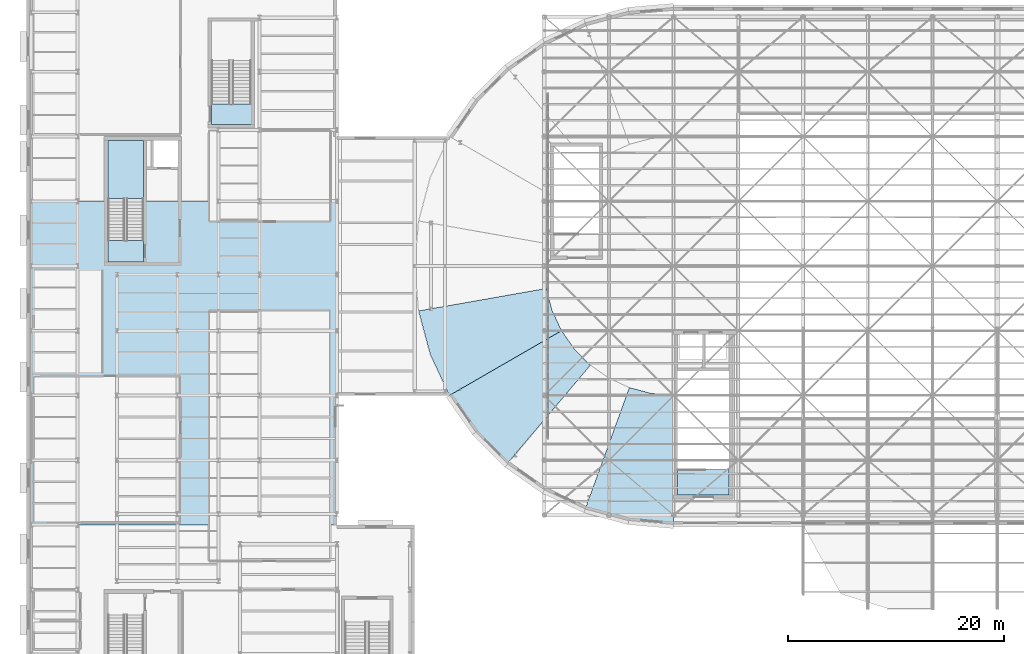
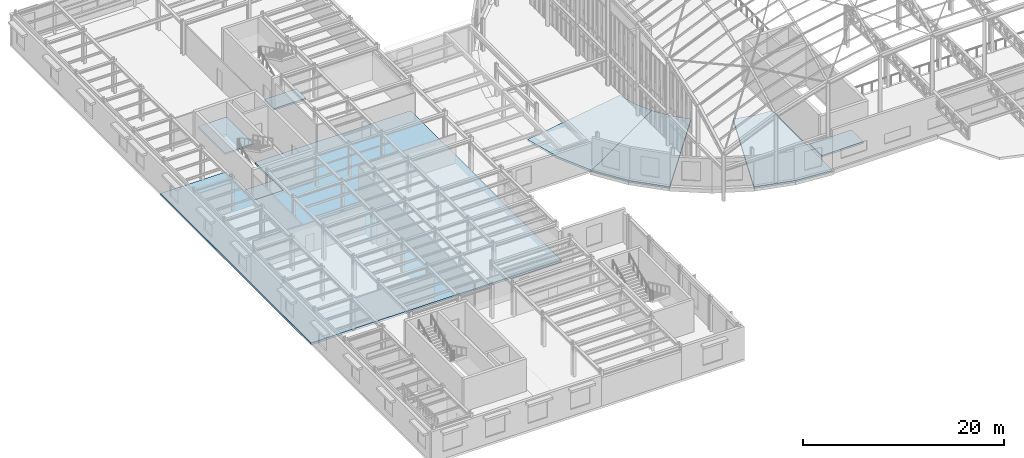
# One storey, part 51 of 75: 8 slabs, 1 element without a shape of its own.
"""IFC4 building model written with IfcOpenShell, lengths in metres."""

import ifcopenshell
import ifcopenshell.guid

model = None  # the IFC model being written
_history = None  # IfcOwnerHistory: only IFC2X3 demands one
_inside = {}  # id of a spatial element -> (the spatial element, [elements in it])
_under = {}  # id of a project, library or spatial element -> (it, [spatial elements below it])
_declared = {}  # id of a project -> (the project, [libraries it declares])
_typed = {}  # id of a type object -> (the type object, [elements of that type])
_made_of = {}  # id of a material, layer set ... -> (it, [elements and type objects made of it])


def new_model(schema):
    """Start an empty IFC model of exactly this schema.

    Asked for "IFC4X3", IfcOpenShell would pick the latest addendum, in which some entities
    have other attributes; the version numbers below select the first issue.
    IFC2X3 requires an IfcOwnerHistory on every rooted entity: one is made here for all.
    """
    global model, _history
    if schema == "IFC4X3":
        model = ifcopenshell.file(schema_version=(4, 3, 0, 0))
    else:
        model = ifcopenshell.file(schema=schema)
    _inside.clear()
    _under.clear()
    _declared.clear()
    _typed.clear()
    _made_of.clear()
    _history = None
    if model.schema == "IFC2X3":
        org = make("IfcOrganization", Name="unknown")
        user = make(
            "IfcPersonAndOrganization",
            ThePerson=make("IfcPerson", FamilyName="unknown"),
            TheOrganization=org,
        )
        app = make(
            "IfcApplication",
            ApplicationDeveloper=org,
            Version="unknown",
            ApplicationFullName="unknown",
            ApplicationIdentifier="unknown",
        )
        _history = make(
            "IfcOwnerHistory",
            OwningUser=user,
            OwningApplication=app,
            ChangeAction="ADDED",
            CreationDate=0,
        )
    return model


def make(cls, **values):
    """One entity of the class cls with the attributes given. An attribute that is None is left unset."""
    return model.create_entity(
        cls, **{name: value for name, value in values.items() if value is not None}
    )


def rooted(cls, **values):
    """An entity with a GlobalId (a new one), such as an element, a storey or a relation."""
    return make(cls, GlobalId=ifcopenshell.guid.new(), OwnerHistory=_history, **values)


def si_unit(unit_type, name, prefix=None):
    """IfcSIUnit, for example si_unit("LENGTHUNIT", "METRE", prefix="MILLI")."""
    return make("IfcSIUnit", UnitType=unit_type, Prefix=prefix, Name=name)


def assignment(units):
    """IfcUnitAssignment: the units of a project."""
    return None if units is None else make("IfcUnitAssignment", Units=units)


def point(xyz):
    """IfcCartesianPoint."""
    return None if xyz is None else make("IfcCartesianPoint", Coordinates=xyz)


def direction(xyz):
    """IfcDirection."""
    return None if xyz is None else make("IfcDirection", DirectionRatios=xyz)


def frame(location, z_axis=None, x_axis=None):
    """IfcAxis2Placement3D, a coordinate frame: its origin and axes. An axis left out is left unset."""
    return make(
        "IfcAxis2Placement3D",
        Location=point(location),
        Axis=direction(z_axis),
        RefDirection=direction(x_axis),
    )


def origin():
    """The frame at (0, 0, 0) with its axes left unset."""
    return frame((0.0, 0.0, 0.0))


def place(relative_to, where):
    """IfcLocalPlacement: puts the frame where relative to a parent placement (None: the world)."""
    return make(
        "IfcLocalPlacement", PlacementRelTo=relative_to, RelativePlacement=where
    )


def context(
    kind, dimensions, precision=None, world=None, true_north=None, identifier=None
):
    """IfcGeometricRepresentationContext, for example the 3D "Model" context."""
    return make(
        "IfcGeometricRepresentationContext",
        ContextIdentifier=identifier,
        ContextType=kind,
        CoordinateSpaceDimension=dimensions,
        Precision=precision,
        WorldCoordinateSystem=world,
        TrueNorth=true_north,
    )


def subcontext(parent, identifier, kind, view, scale=None):
    """IfcGeometricRepresentationSubContext, for example "Body" below "Model"."""
    return make(
        "IfcGeometricRepresentationSubContext",
        ContextIdentifier=identifier,
        ContextType=kind,
        ParentContext=parent,
        TargetScale=scale,
        TargetView=view,
    )


def project(units=None, contexts=None):
    """IfcProject with its units and contexts."""
    return rooted(
        "IfcProject",
        Name="project",
        RepresentationContexts=contexts,
        UnitsInContext=assignment(units),
    )


def spatial(cls, under=None, at=None, **own):
    """A site, building, storey or space (cls), placed at a placement, below another one or the project."""
    s = rooted(cls, ObjectPlacement=at, **own)
    if under is not None:
        _under.setdefault(under.id(), (under, []))[1].append(s)
    return s


def polyline(points):
    """IfcPolyline through the points."""
    return make("IfcPolyline", Points=[point(p) for p in points])


def outline(outer, holes=None, kind="AREA"):
    """IfcArbitraryClosedProfileDef: a profile drawn as a closed curve; with holes, ...WithVoids."""
    if holes is None:
        return make("IfcArbitraryClosedProfileDef", ProfileType=kind, OuterCurve=outer)
    return make(
        "IfcArbitraryProfileDefWithVoids",
        ProfileType=kind,
        OuterCurve=outer,
        InnerCurves=holes,
    )


def extrude(swept, where, along, depth):
    """IfcExtrudedAreaSolid: the profile swept, set in the frame where, extruded along a direction by depth."""
    return make(
        "IfcExtrudedAreaSolid",
        SweptArea=swept,
        Position=where,
        ExtrudedDirection=direction(along),
        Depth=depth,
    )


def shape(context_of_items, identifier, shape_type, items):
    """IfcShapeRepresentation: the items that make up one representation, for example the "Body"."""
    return make(
        "IfcShapeRepresentation",
        ContextOfItems=context_of_items,
        RepresentationIdentifier=identifier,
        RepresentationType=shape_type,
        Items=items,
    )


def material(Name=None, Category=None):
    """IfcMaterial."""
    return make("IfcMaterial", Name=Name, Category=Category)


def layer(
    of_material, thickness, ventilated=None, Name=None, Category=None, Priority=None
):
    """IfcMaterialLayer: one layer of a wall or slab, of a material (None: an air gap)."""
    return make(
        "IfcMaterialLayer",
        Material=of_material,
        LayerThickness=thickness,
        IsVentilated=ventilated,
        Name=Name,
        Category=Category,
        Priority=Priority,
    )


def layer_set(layers, Name=None):
    """IfcMaterialLayerSet."""
    return make("IfcMaterialLayerSet", MaterialLayers=layers, LayerSetName=Name)


def made_of(thing, what):
    """Note that an element or type object is made of a material, layer set ...; save() writes the relation."""
    if what is not None:
        _made_of.setdefault(what.id(), (what, []))[1].append(thing)
    return thing


def type_object(cls, material=None, **own):
    """A type object (cls), such as IfcWallType, which elements share."""
    return made_of(rooted(cls, **own), material)


def element(
    cls,
    number,
    at=None,
    inside=None,
    cuts=None,
    type_object=None,
    material=None,
    context=None,
    identifier="Body",
    shape_type=None,
    held_by="IfcProductDefinitionShape",
    body=None,
    shapes=None,
    **own,
):
    """One element of the class cls, such as IfcWall. Its Tag is "e" and its number.

    at: its placement. inside: the storey or other place that contains it. cuts: it is an
    opening in that element (IfcRelVoidsElement). A single representation is given by context,
    identifier, shape_type and body (its items); several are given by shapes. held_by: the class
    of the entity that holds the representations. save() writes the other relations.
    """
    e = rooted(cls, Tag="e%d" % number, ObjectPlacement=at, **own)
    if body is not None:
        shapes = [shape(context, identifier, shape_type, body)]
    if shapes is not None:
        e.Representation = make(held_by, Representations=shapes)
    if inside is not None:
        _inside.setdefault(inside.id(), (inside, []))[1].append(e)
    if cuts is not None:
        rooted(
            "IfcRelVoidsElement", RelatingBuildingElement=cuts, RelatedOpeningElement=e
        )
    if type_object is not None:
        _typed.setdefault(type_object.id(), (type_object, []))[1].append(e)
    return made_of(e, material)


def aggregate(whole, parts):
    """IfcRelAggregates: a whole, such as a stair, and the parts it consists of."""
    return rooted("IfcRelAggregates", RelatingObject=whole, RelatedObjects=parts)


def save(model, path):
    """Write the relations noted so far, then the file.

    IfcRelAggregates (storeys below a building ...), IfcRelContainedInSpatialStructure (elements
    in a storey), IfcRelDefinesByType, IfcRelAssociatesMaterial and IfcRelDeclares: one each for
    every whole, place, type object, material and project.
    """
    for whole, parts in _under.values():
        aggregate(whole, parts)
    for where, things in _inside.values():
        rooted(
            "IfcRelContainedInSpatialStructure",
            RelatedElements=things,
            RelatingStructure=where,
        )
    for kind, things in _typed.values():
        rooted("IfcRelDefinesByType", RelatedObjects=things, RelatingType=kind)
    for what, things in _made_of.values():
        rooted("IfcRelAssociatesMaterial", RelatedObjects=things, RelatingMaterial=what)
    for by, libraries in _declared.values():
        rooted("IfcRelDeclares", RelatingContext=by, RelatedDefinitions=libraries)
    model.write(path)


model = new_model("IFC4")

# Units and contexts
model_context = context("Model", 3, precision=1e-05, world=origin(), true_north=direction((0.0, 1.0)))
body_context = subcontext(model_context, "Body", "Model", "MODEL_VIEW")
ifc_project = project(units=[si_unit("LENGTHUNIT", "METRE"), si_unit("AREAUNIT", "SQUARE_METRE"), si_unit("VOLUMEUNIT", "CUBIC_METRE"), si_unit("PLANEANGLEUNIT", "RADIAN"), si_unit("MASSUNIT", "GRAM", prefix="KILO")], contexts=[model_context])

# Site, building, storey
site_placement = place(None, origin())
site = spatial("IfcSite", under=ifc_project, at=site_placement, CompositionType="ELEMENT")
building_placement = place(site_placement, origin())
building = spatial("IfcBuilding", under=site, at=building_placement, Name="Kolvaren Corner Interchange", CompositionType="ELEMENT")
storey_placement = place(building_placement, frame((0.0, 0.0, 10.5)))
storey = spatial("IfcBuildingStorey", under=building, at=storey_placement, Name="L03", CompositionType="ELEMENT", Elevation=10.5)

# Slabs
ifc_material_1 = material(Name="Concrete C35/45", Category="concrete")
ifc_layer_1 = layer(ifc_material_1, 0.25)
ifc_layer_set_1 = layer_set([ifc_layer_1], Name="Concrete C35/45")
slab_type_1 = type_object("IfcSlabType", Name="SL-COMP-250", PredefinedType="FLOOR", material=ifc_layer_set_1)
slab_1_placement = place(storey_placement, frame((0.0, 0.0, -0.25)))
element("IfcSlab", 1, at=slab_1_placement, inside=storey, type_object=slab_type_1, Name="Level 03 Administration Central West Floor Slab", PredefinedType="FLOOR", context=body_context, shape_type="SweptSolid", body=[
    extrude(outline(polyline([(0.0, 24.0), (28.800048828125, 24.0), (28.800048828125, 54.0), (10.85009765625, 54.0), (10.85009765625, 48.35009765625), (7.550048828125, 48.35009765625), (7.550048828125, 54.0), (0.0, 54.0), (0.0, 24.0)])), origin(), (0.0, 0.0, 1.0), 0.25),
])
slab_2_placement = place(storey_placement, frame((0.0, 0.0, -0.25)))
element("IfcSlab", 2, at=slab_2_placement, inside=storey, type_object=slab_type_1, Name="Level 03 Racetrack West Sky Gallery Radial Slab 06", PredefinedType="FLOOR", context=body_context, shape_type="SweptSolid", body=[
    extrude(outline(polyline([(37.447509765625, 39.79150390625), (39.21533203125, 36.0), (49.607666015625, 42.0), (48.7236328125, 43.895751953125), (48.182373046875, 45.916259765625), (36.364501953125, 43.83251953125), (37.447509765625, 39.79150390625)])), origin(), (0.0, 0.0, 1.0), 0.25),
])
slab_3_placement = place(storey_placement, frame((0.0, 0.0, -0.25)))
element("IfcSlab", 3, at=slab_3_placement, inside=storey, type_object=slab_type_1, Name="Level 03 Racetrack West Sky Gallery Radial Slab 07", PredefinedType="FLOOR", context=body_context, shape_type="SweptSolid", body=[
    extrude(outline(polyline([(41.614990234375, 32.5732421875), (44.542236328125, 29.645751953125), (52.262939453125, 38.779296875), (50.8076171875, 40.28662109375), (49.628662109375, 41.969970703125), (49.5869140625, 41.986083984375), (39.253173828125, 36.021728515625), (41.614990234375, 32.5732421875)])), origin(), (0.0, 0.0, 1.0), 0.25),
])
slab_4_placement = place(storey_placement, frame((0.0, 0.0, -0.25)))
element("IfcSlab", 4, at=slab_4_placement, inside=storey, type_object=slab_type_1, Name="Level 03 Racetrack West Sky Gallery Radial Slab 09", PredefinedType="FLOOR", context=body_context, shape_type="SweptSolid", body=[
    extrude(outline(polyline([(55.83251953125, 24.364501953125), (60.0, 24.0), (60.0, 36.0), (57.916259765625, 36.182373046875), (55.895751953125, 36.7236328125), (51.79150390625, 25.447509765625), (55.83251953125, 24.364501953125)])), origin(), (0.0, 0.0, 1.0), 0.25),
])
ifc_material_2 = material(Name="Concrete C35/45", Category="concrete")
ifc_layer_2 = layer(ifc_material_2, 0.199951171875)
ifc_layer_set_2 = layer_set([ifc_layer_2], Name="Concrete C35/45")
slab_type_2 = type_object("IfcSlabType", Name="SL-STAIR-LAND200", PredefinedType="LANDING", material=ifc_layer_set_2)
slab_5_placement = place(storey_placement, frame((0.0, 0.0, -0.199951171875)))
element("IfcSlab", 5, at=slab_5_placement, inside=storey, type_object=slab_type_2, Name="Core C2 Northwest Firefighting Stair L03 Floor Arrival Landing Slab", PredefinedType="LANDING", context=body_context, shape_type="SweptSolid", body=[
    extrude(outline(polyline([(10.85009765625, 48.35009765625), (10.85009765625, 50.35009765625), (7.550048828125, 50.35009765625), (7.550048828125, 48.35009765625), (10.85009765625, 48.35009765625)])), origin(), (0.0, 0.0, 1.0), 0.199951171875),
])

# Stair, slab
ifc_material_3 = material(Name="Concrete C35/45", Category="concrete")
stair_type = type_object("IfcStairType", Name="ST-FF-1550", PredefinedType="HALF_TURN_STAIR", material=ifc_material_3)
stair_placement = place(storey_placement, origin())
stair = element("IfcStair", 6, at=stair_placement, inside=storey, type_object=stair_type, Name="Core C2 Northwest Firefighting Stair L03 to L04 Stair", PredefinedType="HALF_TURN_STAIR")
slab_6_placement = place(storey_placement, frame((0.0, 0.0, 1.89990234375)))
slab_6 = element("IfcSlab", 7, at=slab_6_placement, type_object=slab_type_2, Name="Core C2 Northwest Firefighting Stair L03 Intermediate Half Landing Slab", PredefinedType="LANDING", context=body_context, shape_type="SweptSolid", body=[
    extrude(outline(polyline([(10.85009765625, 54.25), (10.85009765625, 59.64990234375), (7.550048828125, 59.64990234375), (7.550048828125, 54.25), (10.85009765625, 54.25)])), origin(), (0.0, 0.0, 1.0), 0.2001953125),
])
aggregate(stair, [slab_6])

# Slabs
slab_7_placement = place(storey_placement, frame((0.0, 0.0, -0.199951171875)))
element("IfcSlab", 8, at=slab_7_placement, inside=storey, type_object=slab_type_2, Name="Core C3 West Concourse Transfer Stair L03 Floor Arrival Landing Slab", PredefinedType="LANDING", context=body_context, shape_type="SweptSolid", body=[
    extrude(outline(polyline([(65.14990234375, 26.75), (65.14990234375, 29.14990234375), (60.35009765625, 29.14990234375), (60.35009765625, 26.75), (65.14990234375, 26.75)])), origin(), (0.0, 0.0, 1.0), 0.199951171875),
])
slab_8_placement = place(storey_placement, frame((0.0, 0.0, -0.199951171875)))
element("IfcSlab", 9, at=slab_8_placement, inside=storey, type_object=slab_type_2, Name="Operations North Wing Protected Exit Stair L03 Floor Arrival Landing Slab", PredefinedType="LANDING", context=body_context, shape_type="SweptSolid", body=[
    extrude(outline(polyline([(20.85009765625, 61.10009765625), (20.85009765625, 63.0), (17.14990234375, 63.0), (17.14990234375, 61.10009765625), (20.85009765625, 61.10009765625)])), origin(), (0.0, 0.0, 1.0), 0.199951171875),
])

save(model, "model.ifc")
